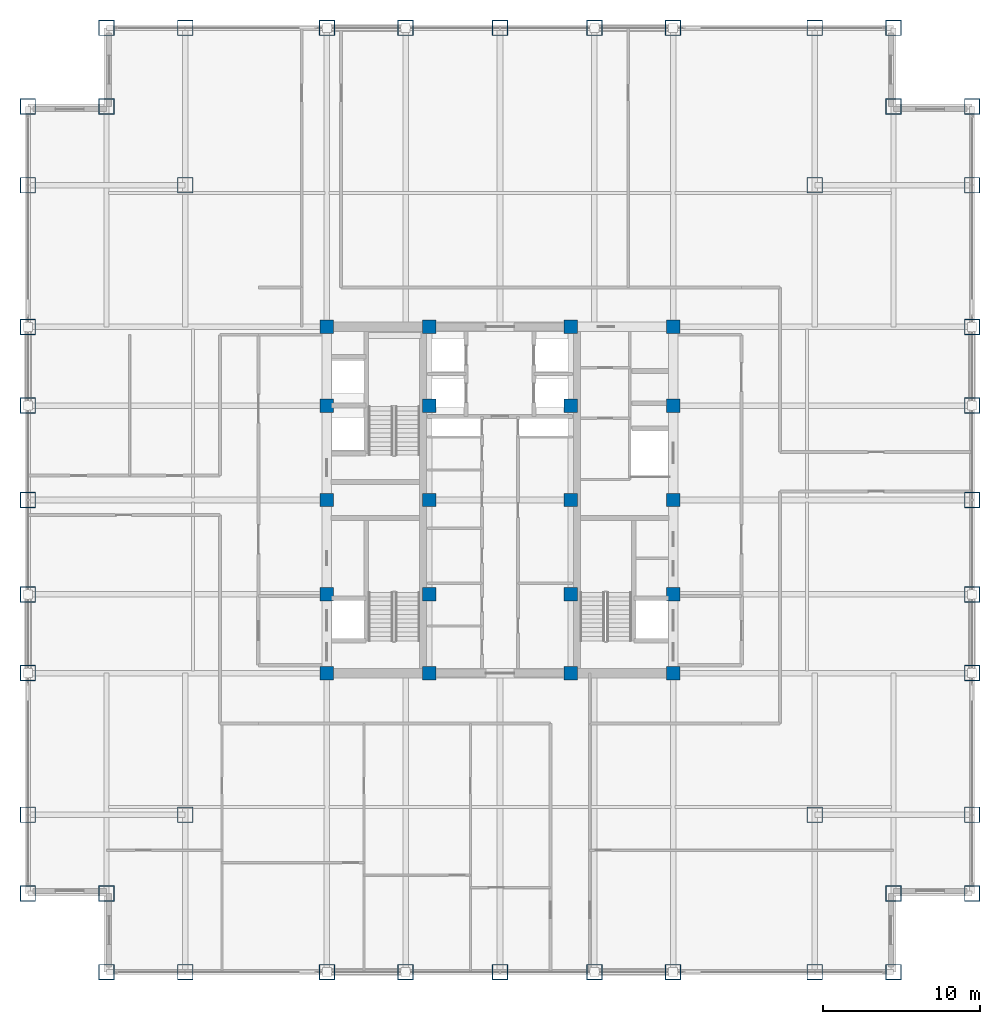
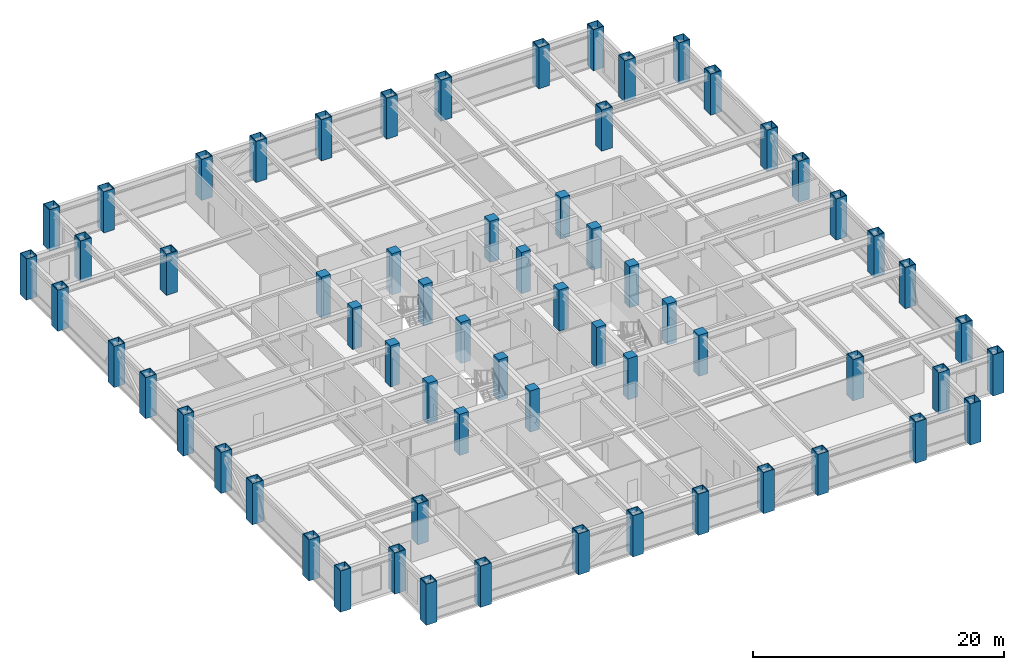
# One storey, part 1 of 24: 64 columns.
"""IFC4 building model written with IfcOpenShell, lengths in metres."""

from ifc_helpers import new_model, si_unit, direction, frame, origin, origin_2d, place, context, subcontext, project, spatial, rectangle, hollow_rectangle, extrude, source, transform, mapped, material, material_profile, profile_set, type_object, element, save


model = new_model("IFC4")

# Units and contexts
model_context = context("Model", 3, precision=1e-05, world=origin(), true_north=direction((0.0, 1.0)))
body_context = subcontext(model_context, "Body", "Model", "MODEL_VIEW")
ifc_project = project(units=[si_unit("LENGTHUNIT", "METRE"), si_unit("AREAUNIT", "SQUARE_METRE"), si_unit("VOLUMEUNIT", "CUBIC_METRE"), si_unit("PLANEANGLEUNIT", "RADIAN"), si_unit("MASSUNIT", "GRAM", prefix="KILO")], contexts=[model_context])

# Site, building, storey
site_placement = place(None, origin())
site = spatial("IfcSite", under=ifc_project, at=site_placement, CompositionType="ELEMENT")
building_placement = place(site_placement, origin())
building = spatial("IfcBuilding", under=site, at=building_placement, Name="Khorayat Bourse Tower", CompositionType="ELEMENT")
storey_placement = place(building_placement, frame((0.0, 0.0, 215.10009765625)))
storey = spatial("IfcBuildingStorey", under=building, at=storey_placement, Name="L50", CompositionType="ELEMENT", Elevation=215.10009765625)

# Columns
ifc_material_1 = material(Name="Concrete C60/75", Category="concrete")
ifc_material_profile_1 = material_profile(ifc_material_1, rectangle(XDim=0.85009765625, YDim=0.85009765625, at=origin_2d()), Name="RC 850x850")
ifc_profile_set_1 = profile_set([ifc_material_profile_1], Name="Concrete C60/75")
column_type_1 = type_object("IfcColumnType", Name="COL-CORE-850", PredefinedType="COLUMN", material=ifc_profile_set_1)
shared_shape_1 = source(origin(), body_context, "Body", "SweptSolid", [
    extrude(rectangle(XDim=0.85009765625, YDim=0.85009765625, at=origin_2d()), origin(), (0.0, 0.0, 1.0), 4.0),
])
for number, where, z_axis, x_axis, name in (
    (1, (-11.0, -11.0, 0.0), (0.0, 0.0, 1.0), (1.0, 0.0, 0.0), "L50 Column 019"),
    (2, (-11.0, -6.0, 0.0), (0.0, 0.0, 1.0), (1.0, 0.0, 0.0), "L50 Column 020"),
    (3, (-11.0, 0.0, 0.0), (0.0, 0.0, 1.0), (1.0, 0.0, 0.0), "L50 Column 021"),
    (4, (-11.0, 6.0, 0.0), (0.0, 0.0, 1.0), (1.0, 0.0, 0.0), "L50 Column 022"),
    (5, (-11.0, 11.0, 0.0), (0.0, 0.0, 1.0), (1.0, 0.0, 0.0), "L50 Column 023"),
    (6, (-4.5, -11.0, 0.0), (0.0, 0.0, 1.0), (1.0, 0.0, 0.0), "L50 Column 027"),
    (7, (-4.5, -6.0, 0.0), (0.0, 0.0, 1.0), (1.0, 0.0, 0.0), "L50 Column 028"),
    (8, (-4.5, 0.0, 0.0), (0.0, 0.0, 1.0), (1.0, 0.0, 0.0), "L50 Column 029"),
    (9, (-4.5, 6.0, 0.0), (0.0, 0.0, 1.0), (1.0, 0.0, 0.0), "L50 Column 030"),
    (10, (-4.5, 11.0, 0.0), (0.0, 0.0, 1.0), (1.0, 0.0, 0.0), "L50 Column 031"),
    (11, (4.5, -11.0, 0.0), (0.0, 0.0, 1.0), (1.0, 0.0, 0.0), "L50 Column 034"),
    (12, (4.5, -6.0, 0.0), (0.0, 0.0, 1.0), (1.0, 0.0, 0.0), "L50 Column 035"),
    (13, (4.5, 0.0, 0.0), (0.0, 0.0, 1.0), (1.0, 0.0, 0.0), "L50 Column 036"),
    (14, (4.5, 6.0, 0.0), (0.0, 0.0, 1.0), (1.0, 0.0, 0.0), "L50 Column 037"),
    (15, (4.5, 11.0, 0.0), (0.0, 0.0, 1.0), (1.0, 0.0, 0.0), "L50 Column 038"),
    (16, (11.0, -11.0, 0.0), (0.0, 0.0, 1.0), (1.0, 0.0, 0.0), "L50 Column 042"),
    (17, (11.0, -6.0, 0.0), (0.0, 0.0, 1.0), (1.0, 0.0, 0.0), "L50 Column 043"),
    (18, (11.0, 0.0, 0.0), (0.0, 0.0, 1.0), (1.0, 0.0, 0.0), "L50 Column 044"),
    (19, (11.0, 6.0, 0.0), (0.0, 0.0, 1.0), (1.0, 0.0, 0.0), "L50 Column 045"),
    (20, (11.0, 11.0, 0.0), (0.0, 0.0, 1.0), (1.0, 0.0, 0.0), "L50 Column 046"),
):
    element("IfcColumn", number, at=place(storey_placement, frame(where, z_axis=z_axis, x_axis=x_axis)), inside=storey, type_object=column_type_1, Name=name, PredefinedType="COLUMN", context=body_context, shape_type="MappedRepresentation", body=[
        mapped(shared_shape_1, transform((0.0, 0.0, 0.0), scale=1.0)),
    ])
ifc_material_2 = material(Name="Steel EN 10025-4 S460M", Category="steel")
ifc_material_profile_2 = material_profile(ifc_material_2, hollow_rectangle(XDim=1.0, YDim=1.0, WallThickness=0.054931640625, at=origin_2d()), Name="BOX 1000x1000x55")
ifc_profile_set_2 = profile_set([ifc_material_profile_2], Name="Steel EN 10025-4 S460M")
column_type_2 = type_object("IfcColumnType", Name="COL-TUBE-1000", PredefinedType="COLUMN", material=ifc_profile_set_2)
shared_shape_2 = source(origin(), body_context, "Body", "SweptSolid", [
    extrude(hollow_rectangle(XDim=1.0, YDim=1.0, WallThickness=0.054931640625, at=origin_2d()), origin(), (0.0, 0.0, 1.0), 4.0),
])
for number, where, z_axis, x_axis, name in (
    (21, (-30.0, -25.0, 0.0), (0.0, 0.0, 1.0), (1.0, 0.0, 0.0), "L50 Column 001"),
    (22, (-30.0, -20.0, 0.0), (0.0, 0.0, 1.0), (1.0, 0.0, 0.0), "L50 Column 002"),
    (23, (-30.0, -11.0, 0.0), (0.0, 0.0, 1.0), (1.0, 0.0, 0.0), "L50 Column 003"),
    (24, (-30.0, -6.0, 0.0), (0.0, 0.0, 1.0), (1.0, 0.0, 0.0), "L50 Column 004"),
    (25, (-30.0, 0.0, 0.0), (0.0, 0.0, 1.0), (1.0, 0.0, 0.0), "L50 Column 005"),
    (26, (-30.0, 6.0, 0.0), (0.0, 0.0, 1.0), (1.0, 0.0, 0.0), "L50 Column 006"),
    (27, (-30.0, 11.0, 0.0), (0.0, 0.0, 1.0), (1.0, 0.0, 0.0), "L50 Column 007"),
    (28, (-30.0, 20.0, 0.0), (0.0, 0.0, 1.0), (1.0, 0.0, 0.0), "L50 Column 008"),
    (29, (-30.0, 25.0, 0.0), (0.0, 0.0, 1.0), (1.0, 0.0, 0.0), "L50 Column 009"),
    (30, (-25.0, -30.0, 0.0), (0.0, 0.0, 1.0), (1.0, 0.0, 0.0), "L50 Column 010"),
    (31, (-25.0, -25.0, 0.0), (0.0, 0.0, 1.0), (1.0, 0.0, 0.0), "L50 Column 011"),
    (32, (-25.0, 25.0, 0.0), (0.0, 0.0, 1.0), (1.0, 0.0, 0.0), "L50 Column 012"),
    (33, (-25.0, 30.0, 0.0), (0.0, 0.0, 1.0), (1.0, 0.0, 0.0), "L50 Column 013"),
    (34, (-20.0, -30.0, 0.0), (0.0, 0.0, 1.0), (1.0, 0.0, 0.0), "L50 Column 014"),
    (35, (-20.0, -20.0, 0.0), (0.0, 0.0, 1.0), (1.0, 0.0, 0.0), "L50 Column 015"),
    (36, (-20.0, 20.0, 0.0), (0.0, 0.0, 1.0), (1.0, 0.0, 0.0), "L50 Column 016"),
    (37, (-20.0, 30.0, 0.0), (0.0, 0.0, 1.0), (1.0, 0.0, 0.0), "L50 Column 017"),
    (38, (-11.0, -30.0, 0.0), (0.0, 0.0, 1.0), (1.0, 0.0, 0.0), "L50 Column 018"),
    (39, (-11.0, 30.0, 0.0), (0.0, 0.0, 1.0), (1.0, 0.0, 0.0), "L50 Column 024"),
    (40, (-6.0, -30.0, 0.0), (0.0, 0.0, 1.0), (1.0, 0.0, 0.0), "L50 Column 025"),
    (41, (-6.0, 30.0, 0.0), (0.0, 0.0, 1.0), (1.0, 0.0, 0.0), "L50 Column 026"),
    (42, (0.0, -30.0, 0.0), (0.0, 0.0, 1.0), (1.0, 0.0, 0.0), "L50 Column 032"),
    (43, (0.0, 30.0, 0.0), (0.0, 0.0, 1.0), (1.0, 0.0, 0.0), "L50 Column 033"),
    (44, (6.0, -30.0, 0.0), (0.0, 0.0, 1.0), (1.0, 0.0, 0.0), "L50 Column 039"),
    (45, (6.0, 30.0, 0.0), (0.0, 0.0, 1.0), (1.0, 0.0, 0.0), "L50 Column 040"),
    (46, (11.0, -30.0, 0.0), (0.0, 0.0, 1.0), (1.0, 0.0, 0.0), "L50 Column 041"),
    (47, (11.0, 30.0, 0.0), (0.0, 0.0, 1.0), (1.0, 0.0, 0.0), "L50 Column 047"),
    (48, (20.0, -30.0, 0.0), (0.0, 0.0, 1.0), (1.0, 0.0, 0.0), "L50 Column 048"),
    (49, (20.0, -20.0, 0.0), (0.0, 0.0, 1.0), (1.0, 0.0, 0.0), "L50 Column 049"),
    (50, (20.0, 20.0, 0.0), (0.0, 0.0, 1.0), (1.0, 0.0, 0.0), "L50 Column 050"),
    (51, (20.0, 30.0, 0.0), (0.0, 0.0, 1.0), (1.0, 0.0, 0.0), "L50 Column 051"),
    (52, (25.0, -30.0, 0.0), (0.0, 0.0, 1.0), (1.0, 0.0, 0.0), "L50 Column 052"),
    (53, (25.0, -25.0, 0.0), (0.0, 0.0, 1.0), (1.0, 0.0, 0.0), "L50 Column 053"),
    (54, (25.0, 25.0, 0.0), (0.0, 0.0, 1.0), (1.0, 0.0, 0.0), "L50 Column 054"),
    (55, (25.0, 30.0, 0.0), (0.0, 0.0, 1.0), (1.0, 0.0, 0.0), "L50 Column 055"),
    (56, (30.0, -25.0, 0.0), (0.0, 0.0, 1.0), (1.0, 0.0, 0.0), "L50 Column 056"),
    (57, (30.0, -20.0, 0.0), (0.0, 0.0, 1.0), (1.0, 0.0, 0.0), "L50 Column 057"),
    (58, (30.0, -11.0, 0.0), (0.0, 0.0, 1.0), (1.0, 0.0, 0.0), "L50 Column 058"),
    (59, (30.0, -6.0, 0.0), (0.0, 0.0, 1.0), (1.0, 0.0, 0.0), "L50 Column 059"),
    (60, (30.0, 0.0, 0.0), (0.0, 0.0, 1.0), (1.0, 0.0, 0.0), "L50 Column 060"),
    (61, (30.0, 6.0, 0.0), (0.0, 0.0, 1.0), (1.0, 0.0, 0.0), "L50 Column 061"),
    (62, (30.0, 11.0, 0.0), (0.0, 0.0, 1.0), (1.0, 0.0, 0.0), "L50 Column 062"),
    (63, (30.0, 20.0, 0.0), (0.0, 0.0, 1.0), (1.0, 0.0, 0.0), "L50 Column 063"),
    (64, (30.0, 25.0, 0.0), (0.0, 0.0, 1.0), (1.0, 0.0, 0.0), "L50 Column 064"),
):
    element("IfcColumn", number, at=place(storey_placement, frame(where, z_axis=z_axis, x_axis=x_axis)), inside=storey, type_object=column_type_2, Name=name, PredefinedType="COLUMN", context=body_context, shape_type="MappedRepresentation", body=[
        mapped(shared_shape_2, transform((0.0, 0.0, 0.0), scale=1.0)),
    ])

save(model, "model.ifc")
